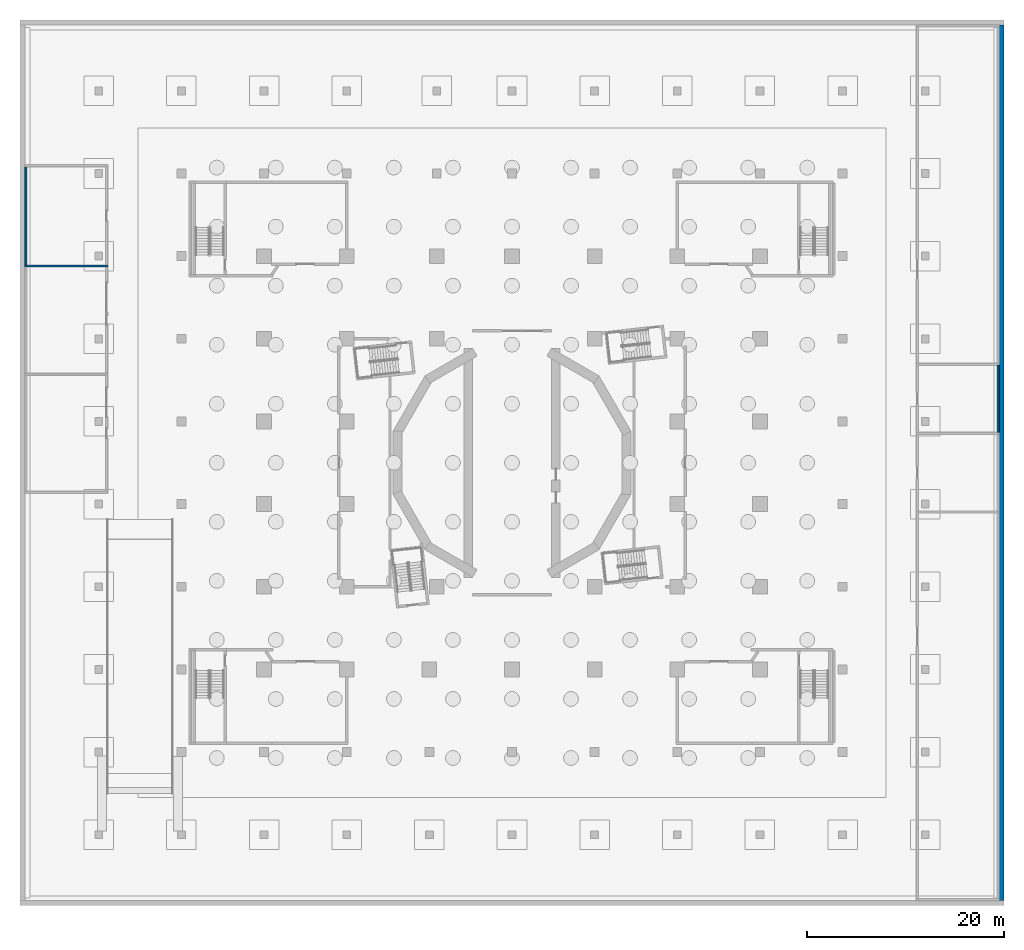
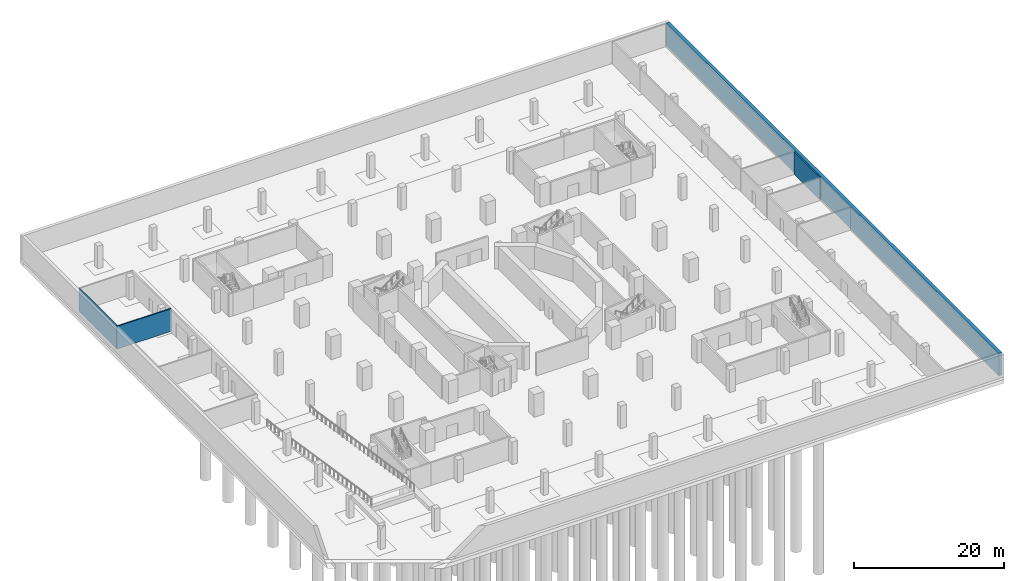
# One storey, part 9 of 20: 4 walls.
"""IFC4 building model written with IfcOpenShell, lengths in metres."""

from ifc_helpers import new_model, si_unit, direction, frame, frame_2d, origin, place, context, subcontext, project, spatial, rectangle, extrude, material, layer, layer_set, type_object, element, save


model = new_model("IFC4")

# Units and contexts
model_context = context("Model", 3, precision=1e-05, world=origin(), true_north=direction((0.0, 1.0)))
body_context = subcontext(model_context, "Body", "Model", "MODEL_VIEW")
ifc_project = project(units=[si_unit("LENGTHUNIT", "METRE"), si_unit("AREAUNIT", "SQUARE_METRE"), si_unit("VOLUMEUNIT", "CUBIC_METRE"), si_unit("PLANEANGLEUNIT", "RADIAN"), si_unit("MASSUNIT", "GRAM", prefix="KILO")], contexts=[model_context])

# Site, building, storey
site_placement = place(None, origin())
site = spatial("IfcSite", under=ifc_project, at=site_placement, CompositionType="ELEMENT")
building_placement = place(site_placement, origin())
building = spatial("IfcBuilding", under=site, at=building_placement, Name="Cantera Rosa Tower", CompositionType="ELEMENT")
storey_placement = place(building_placement, frame((0.0, 0.0, -17.0)))
storey = spatial("IfcBuildingStorey", under=building, at=storey_placement, Name="B4", CompositionType="ELEMENT", Elevation=-17.0)

# Walls
ifc_material_1 = material(Name="Masonry blockwork", Category="masonry")
ifc_layer_1 = layer(ifc_material_1, 0.199951171875)
ifc_layer_set_1 = layer_set([ifc_layer_1], Name="Blockwork partition 200")
wall_type_1 = type_object("IfcWallType", Name="Blockwork partition 200", PredefinedType="PARTITIONING", material=ifc_layer_set_1)
wall_1_placement = place(storey_placement, frame((49.39990234375, 3.10009765625, 0.0), z_axis=(0.0, 0.0, 1.0), x_axis=(0.0, 1.0, 0.0)))
element("IfcWall", 1, at=wall_1_placement, inside=storey, type_object=wall_type_1, Name="Partition B4-66", PredefinedType="PARTITIONING", context=body_context, shape_type="SweptSolid", body=[
    extrude(rectangle(XDim=6.7998046875, YDim=0.199951171875, at=frame_2d((3.39990234375, 0.0))), origin(), (0.0, 0.0, 1.0), 3.699951171875),
])
wall_2_placement = place(storey_placement, frame((-49.39990234375, 20.10009765625, 0.0), z_axis=(0.0, 0.0, 1.0), x_axis=(0.0, 1.0, 0.0)))
element("IfcWall", 2, at=wall_2_placement, inside=storey, type_object=wall_type_1, Name="Partition B4-87", PredefinedType="PARTITIONING", context=body_context, shape_type="SweptSolid", body=[
    extrude(rectangle(XDim=10.0, YDim=0.199951171875, at=frame_2d((5.0, 0.0))), origin(), (0.0, 0.0, 1.0), 3.699951171875),
])
wall_3_placement = place(storey_placement, frame((-49.5, 20.0, 0.0), z_axis=(0.0, 0.0, 1.0), x_axis=(1.0, 0.0, 0.0)))
element("IfcWall", 3, at=wall_3_placement, inside=storey, type_object=wall_type_1, Name="Partition B4-89", PredefinedType="PARTITIONING", context=body_context, shape_type="SweptSolid", body=[
    extrude(rectangle(XDim=8.39990234375, YDim=0.199951171875, at=frame_2d((4.199951171875, 0.0))), origin(), (0.0, 0.0, 1.0), 3.699951171875),
])
ifc_material_2 = material(Name="Concrete C40/50", Category="concrete")
ifc_layer_2 = layer(ifc_material_2, 0.5)
ifc_layer_set_2 = layer_set([ifc_layer_2], Name="Retaining wall 500")
wall_type_2 = type_object("IfcWallType", Name="Retaining wall 500", PredefinedType="SOLIDWALL", material=ifc_layer_set_2)
wall_4_placement = place(storey_placement, frame((49.75, -44.5, 0.0), z_axis=(0.0, 0.0, 1.0), x_axis=(0.0, 1.0, 0.0)))
element("IfcWall", 4, at=wall_4_placement, inside=storey, type_object=wall_type_2, Name="Retaining wall E B4", PredefinedType="SOLIDWALL", context=body_context, shape_type="SweptSolid", body=[
    extrude(rectangle(XDim=89.0, YDim=0.5, at=frame_2d((44.5, 0.0))), origin(), (0.0, 0.0, 1.0), 3.699951171875),
])

save(model, "model.ifc")
